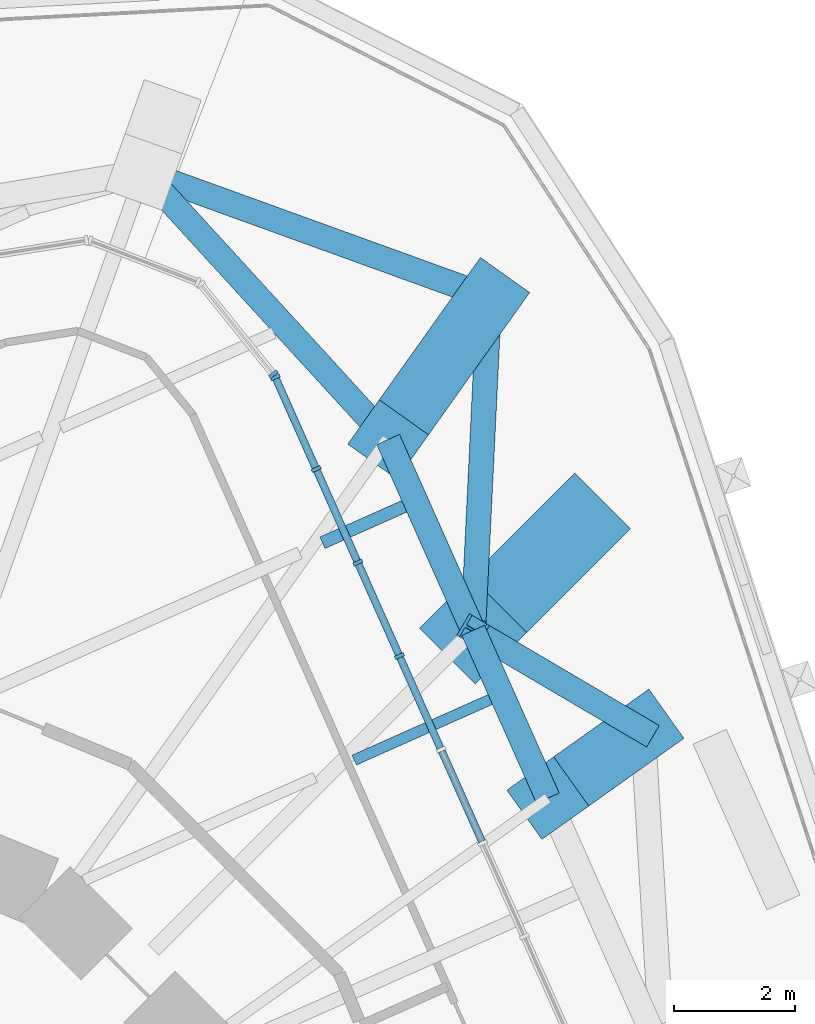
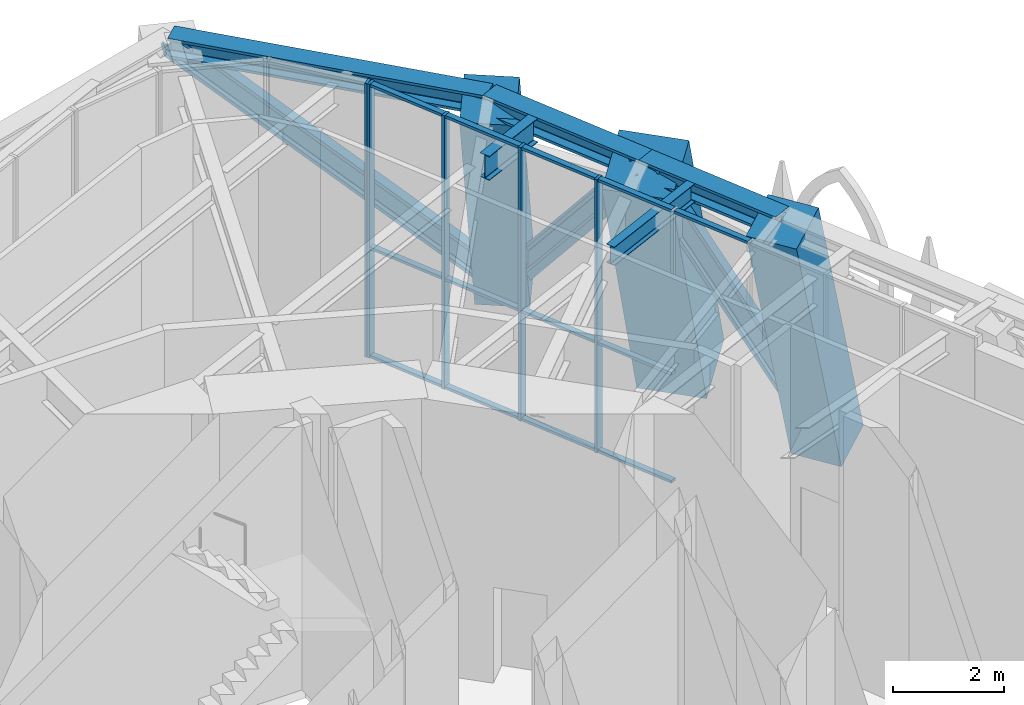
# One storey, part 9 of 18: 27 members, 2 beams, 2 elements without a shape of their own.
"""IFC4 building model written with IfcOpenShell, lengths in metres."""

from ifc_helpers import new_model, si_unit, direction, frame, origin, origin_2d, place, context, subcontext, project, spatial, rectangle, i_section, extrude, material, material_profile, profile_set, type_object, element, aggregate, save


model = new_model("IFC4")

# Units and contexts
model_context = context("Model", 3, precision=1e-05, world=origin(), true_north=direction((0.0, 1.0)))
body_context = subcontext(model_context, "Body", "Model", "MODEL_VIEW")
ifc_project = project(units=[si_unit("LENGTHUNIT", "METRE"), si_unit("AREAUNIT", "SQUARE_METRE"), si_unit("VOLUMEUNIT", "CUBIC_METRE"), si_unit("PLANEANGLEUNIT", "RADIAN"), si_unit("MASSUNIT", "GRAM", prefix="KILO")], contexts=[model_context])

# Site, building, storey
site_placement = place(None, origin())
site = spatial("IfcSite", under=ifc_project, at=site_placement, CompositionType="ELEMENT")
building_placement = place(site_placement, origin())
building = spatial("IfcBuilding", under=site, at=building_placement, Name="Nakasero Lantern House", CompositionType="ELEMENT")
storey_placement = place(building_placement, frame((0.0, 0.0, 176.449951171875)))
storey = spatial("IfcBuildingStorey", under=building, at=storey_placement, Name="L43", CompositionType="ELEMENT", Elevation=176.449951171875)

# Members
ifc_material_1 = material(Name="Steel S355", Category="steel")
ifc_material_profile_1 = material_profile(ifc_material_1, i_section(OverallWidth=0.412109375, OverallDepth=0.4365234375, WebThickness=0.035888671875, FlangeThickness=0.05810546875, FilletRadius=0.01513671875, at=origin_2d()), Name="UC 356x406x467")
ifc_profile_set_1 = profile_set([ifc_material_profile_1], Name="Steel S355")
member_type_1 = type_object("IfcMemberType", Name="Belt truss chord UC 356x406x467", PredefinedType="CHORD", material=ifc_profile_set_1)
member_1_placement = place(storey_placement, frame((13.884521484375, 9.87353515625, 5.581787109375), z_axis=(-0.40671251915, 0.913556197925, 0.0), x_axis=(-0.913556197925, -0.40671251915, 0.0)))
element("IfcMember", 1, at=member_1_placement, inside=storey, type_object=member_type_1, Name="Belt truss top chord T4 B5-C05T", PredefinedType="CHORD", context=body_context, shape_type="SweptSolid", body=[
    extrude(i_section(OverallWidth=0.412109375, OverallDepth=0.4365234375, WebThickness=0.035888671875, FlangeThickness=0.05810546875, FilletRadius=0.01513671875, at=origin_2d()), origin(), (0.0, 0.0, 1.0), 3.0380859375),
])
member_2_placement = place(storey_placement, frame((12.64892578125, 12.64892578125, 5.581787109375), z_axis=(-0.406760506795, 0.913534832457, 0.0), x_axis=(-0.913534832457, -0.406760506795, 0.0)))
element("IfcMember", 2, at=member_2_placement, inside=storey, type_object=member_type_1, Name="Belt truss top chord T4 B5-C06T", PredefinedType="CHORD", context=body_context, shape_type="SweptSolid", body=[
    extrude(i_section(OverallWidth=0.412109375, OverallDepth=0.4365234375, WebThickness=0.035888671875, FlangeThickness=0.05810546875, FilletRadius=0.01513671875, at=origin_2d()), origin(), (0.0, 0.0, 1.0), 3.458984375),
])
member_3_placement = place(storey_placement, frame((11.241943359375, 15.808837890625, 5.581787109375), z_axis=(-0.674771099966, 0.73802707447, 0.0), x_axis=(-0.73802707447, -0.674771099966, 0.0)))
element("IfcMember", 3, at=member_3_placement, inside=storey, type_object=member_type_1, Name="Belt truss top chord T4 B5-C07T", PredefinedType="CHORD", context=body_context, shape_type="SweptSolid", body=[
    extrude(i_section(OverallWidth=0.412109375, OverallDepth=0.4365234375, WebThickness=0.035888671875, FlangeThickness=0.05810546875, FilletRadius=0.01513671875, at=origin_2d()), origin(), (0.0, 0.0, 1.0), 5.997802734375),
])
ifc_material_2 = material(Name="Steel S355", Category="steel")
ifc_material_profile_2 = material_profile(ifc_material_2, i_section(OverallWidth=0.412109375, OverallDepth=0.4365234375, WebThickness=0.035888671875, FlangeThickness=0.05810546875, FilletRadius=0.01513671875, at=origin_2d()), Name="UC 356x406x467")
ifc_profile_set_2 = profile_set([ifc_material_profile_2], Name="Steel S355")
member_type_2 = type_object("IfcMemberType", Name="Belt truss diagonal UC 356x406x467", PredefinedType="BRACE", material=ifc_profile_set_2)
member_4_placement = place(storey_placement, frame((15.45947265625, 10.993408203125, -0.418212890625), z_axis=(-0.411539921993, 0.242412457526, 0.878561946047), x_axis=(-0.507533571521, -0.861631982797, 0.0)))
element("IfcMember", 4, at=member_4_placement, inside=storey, type_object=member_type_2, Name="Belt truss diagonal T4-05", PredefinedType="BRACE", context=body_context, shape_type="SweptSolid", body=[
    extrude(i_section(OverallWidth=0.412109375, OverallDepth=0.4365234375, WebThickness=0.035888671875, FlangeThickness=0.05810546875, FilletRadius=0.01513671875, at=origin_2d()), origin(), (0.0, 0.0, 1.0), 6.829345703125),
])
member_5_placement = place(storey_placement, frame((12.64892578125, 12.64892578125, 5.581787109375), z_axis=(0.032758249817, 0.676305146581, -0.735892822208), x_axis=(-0.998828984534, 0.048380364344, 0.0)))
element("IfcMember", 5, at=member_5_placement, inside=storey, type_object=member_type_2, Name="Belt truss diagonal T4-06", PredefinedType="BRACE", context=body_context, shape_type="SweptSolid", body=[
    extrude(i_section(OverallWidth=0.412109375, OverallDepth=0.4365234375, WebThickness=0.035888671875, FlangeThickness=0.05810546875, FilletRadius=0.01513671875, at=origin_2d()), origin(), (0.0, 0.0, 1.0), 8.1533203125),
])
member_6_placement = place(storey_placement, frame((12.916015625, 18.1630859375, -0.418212890625), z_axis=(-0.669494142696, 0.242496640915, 0.702120340142), x_axis=(-0.340557282505, -0.940223769819, 0.0)))
element("IfcMember", 6, at=member_6_placement, inside=storey, type_object=member_type_2, Name="Belt truss diagonal T4-07", PredefinedType="BRACE", context=body_context, shape_type="SweptSolid", body=[
    extrude(i_section(OverallWidth=0.412109375, OverallDepth=0.4365234375, WebThickness=0.035888671875, FlangeThickness=0.05810546875, FilletRadius=0.01513671875, at=origin_2d()), origin(), (0.0, 0.0, 1.0), 8.545654296875),
])

# Beams
ifc_material_3 = material(Name="Steel S355", Category="steel")
ifc_material_profile_3 = material_profile(ifc_material_3, i_section(OverallWidth=0.177978515625, OverallDepth=0.406494140625, WebThickness=0.0078125, FlangeThickness=0.0126953125, FilletRadius=0.01025390625, at=origin_2d()), Name="UB 406x178x60")
ifc_profile_set_3 = profile_set([ifc_material_profile_3], Name="Steel S355")
beam_type_1 = type_object("IfcBeamType", Name="Infill beam UB 406x178x60", PredefinedType="JOIST", material=ifc_profile_set_3)
beam_1_placement = place(storey_placement, frame((10.682373046875, 10.5029296875, 5.596923828125), z_axis=(0.913533406839, 0.406763708546, 0.0), x_axis=(-0.406763708546, 0.913533406839, 0.0)))
element("IfcBeam", 7, at=beam_1_placement, inside=storey, type_object=beam_type_1, Name="Infill beam L44 09.4", PredefinedType="JOIST", context=body_context, shape_type="SweptSolid", body=[
    extrude(i_section(OverallWidth=0.177978515625, OverallDepth=0.406494140625, WebThickness=0.0078125, FlangeThickness=0.0126953125, FilletRadius=0.01025390625, at=origin_2d()), origin(), (0.0, 0.0, 1.0), 2.463134765625),
])
ifc_material_4 = material(Name="Steel S355", Category="steel")
ifc_material_profile_4 = material_profile(ifc_material_4, i_section(OverallWidth=0.208740234375, OverallDepth=0.5283203125, WebThickness=0.009521484375, FlangeThickness=0.01318359375, FilletRadius=0.0126953125, at=origin_2d()), Name="UB 533x210x82")
ifc_profile_set_4 = profile_set([ifc_material_profile_4], Name="Steel S355")
beam_type_2 = type_object("IfcBeamType", Name="Infill beam UB 533x210x82", PredefinedType="JOIST", material=ifc_profile_set_4)
beam_2_placement = place(storey_placement, frame((10.155029296875, 14.099365234375, 5.535888671875), z_axis=(0.91356004198, 0.406703884538, 0.0), x_axis=(-0.406703884538, 0.91356004198, 0.0)))
element("IfcBeam", 8, at=beam_2_placement, inside=storey, type_object=beam_type_2, Name="Infill beam L44 10.5", PredefinedType="JOIST", context=body_context, shape_type="SweptSolid", body=[
    extrude(i_section(OverallWidth=0.208740234375, OverallDepth=0.5283203125, WebThickness=0.009521484375, FlangeThickness=0.01318359375, FilletRadius=0.0126953125, at=origin_2d()), origin(), (0.0, 0.0, 1.0), 1.482177734375),
])

# Curtain wall, members
ifc_material_5 = material(Name="Aluminium 6063-T6 and glass", Category="aluminium")
curtain_wall_type = type_object("IfcCurtainWallType", Name="Sky lounge glazing CW-3", PredefinedType="USERDEFINED", material=ifc_material_5)
curtain_wall_1_placement = place(storey_placement, origin())
curtain_wall_1 = element("IfcCurtainWall", 9, at=curtain_wall_1_placement, inside=storey, type_object=curtain_wall_type, Name="Curtain wall CW-3 L43", ObjectType="STICK CURTAIN WALL", PredefinedType="USERDEFINED")
ifc_material_6 = material(Name="Aluminium 6063-T6", Category="aluminium")
ifc_material_profile_5 = material_profile(ifc_material_6, rectangle(XDim=0.06005859375, YDim=0.159912109375, at=origin_2d()), Name="CW-3 mullion 60x160")
ifc_profile_set_5 = profile_set([ifc_material_profile_5], Name="Aluminium 6063-T6")
member_type_3 = type_object("IfcMemberType", Name="Mullion CW-3", PredefinedType="MULLION", material=ifc_profile_set_5)
member_7_placement = place(storey_placement, frame((11.428955078125, 12.22412109375, 0.0), z_axis=(0.0, 0.0, 1.0), x_axis=(-0.406736643076, 0.913545457643, 0.0)))
member_7 = element("IfcMember", 10, at=member_7_placement, type_object=member_type_3, Name="CW-3 mullion 6", PredefinedType="MULLION", context=body_context, shape_type="SweptSolid", body=[
    extrude(rectangle(XDim=0.06005859375, YDim=0.159912109375, at=origin_2d()), origin(), (0.0, 0.0, 1.0), 6.0),
])
member_8_placement = place(storey_placement, frame((10.740234375, 13.771484375, 0.0), z_axis=(0.0, 0.0, 1.0), x_axis=(-0.406736643076, 0.913545457643, 0.0)))
member_8 = element("IfcMember", 11, at=member_8_placement, type_object=member_type_3, Name="CW-3 mullion 7", PredefinedType="MULLION", context=body_context, shape_type="SweptSolid", body=[
    extrude(rectangle(XDim=0.06005859375, YDim=0.159912109375, at=origin_2d()), origin(), (0.0, 0.0, 1.0), 6.0),
])
member_9_placement = place(storey_placement, frame((10.05126953125, 15.31884765625, 0.0), z_axis=(0.0, 0.0, 1.0), x_axis=(-0.406736643076, 0.913545457643, 0.0)))
member_9 = element("IfcMember", 12, at=member_9_placement, type_object=member_type_3, Name="CW-3 mullion 8", PredefinedType="MULLION", context=body_context, shape_type="SweptSolid", body=[
    extrude(rectangle(XDim=0.06005859375, YDim=0.159912109375, at=origin_2d()), origin(), (0.0, 0.0, 1.0), 6.0),
])
member_10_placement = place(storey_placement, frame((9.37451171875, 16.8388671875, 0.0), z_axis=(0.0, 0.0, 1.0), x_axis=(-0.406736643076, 0.913545457643, 0.0)))
member_10 = element("IfcMember", 13, at=member_10_placement, type_object=member_type_3, Name="CW-3 mullion 9", PredefinedType="MULLION", context=body_context, shape_type="SweptSolid", body=[
    extrude(rectangle(XDim=0.06005859375, YDim=0.159912109375, at=origin_2d()), origin(), (0.0, 0.0, 1.0), 6.0),
])

# Curtain wall, member
curtain_wall_2_placement = place(storey_placement, origin())
curtain_wall_2 = element("IfcCurtainWall", 14, at=curtain_wall_2_placement, inside=storey, type_object=curtain_wall_type, Name="Curtain wall CW-3 L43", ObjectType="STICK CURTAIN WALL", PredefinedType="USERDEFINED")
member_11_placement = place(storey_placement, frame((9.343505859375, 16.889404296875, 0.0), z_axis=(0.0, 0.0, 1.0), x_axis=(-0.62932039105, 0.777145961457, 0.0)))
member_11 = element("IfcMember", 15, at=member_11_placement, type_object=member_type_3, Name="CW-3 mullion 1", PredefinedType="MULLION", context=body_context, shape_type="SweptSolid", body=[
    extrude(rectangle(XDim=0.06005859375, YDim=0.159912109375, at=origin_2d()), origin(), (0.0, 0.0, 1.0), 6.0),
])
aggregate(curtain_wall_2, [member_11])

# Members
ifc_material_7 = material(Name="Concrete C50/60", Category="concrete")
ifc_material_profile_6 = material_profile(ifc_material_7, rectangle(XDim=1.0, YDim=1.0, at=origin_2d()), Name="RC 1000x1000")
ifc_profile_set_6 = profile_set([ifc_material_profile_6], Name="Concrete C50/60")
member_type_4 = type_object("IfcMemberType", Name="Raking column RC 1000x1000 C50/60", PredefinedType="STRUT", material=ifc_profile_set_6)
member_12_placement = place(storey_placement, frame((15.45947265625, 10.993408203125, -0.418212890625), z_axis=(-0.249851949923, -0.177657866113, 0.951846461215), x_axis=(0.579492088584, -0.814977864281, 0.0)))
element("IfcMember", 16, at=member_12_placement, inside=storey, type_object=member_type_4, Name="Raking column B5-C05T L43", PredefinedType="STRUT", context=body_context, shape_type="SweptSolid", body=[
    extrude(rectangle(XDim=1.0, YDim=1.0, at=origin_2d()), origin(), (0.0, 0.0, 1.0), 6.303466796875),
])
member_13_placement = place(storey_placement, frame((12.916015625, 18.1630859375, -0.418212890625), z_axis=(-0.251392237263, -0.353532936259, 0.901008549362), x_axis=(0.814965081358, -0.57951006563, 0.0)))
element("IfcMember", 17, at=member_13_placement, inside=storey, type_object=member_type_4, Name="Raking column B5-C07T L43", PredefinedType="STRUT", context=body_context, shape_type="SweptSolid", body=[
    extrude(rectangle(XDim=1.0, YDim=1.0, at=origin_2d()), origin(), (0.0, 0.0, 1.0), 6.6591796875),
])
ifc_material_8 = material(Name="Concrete C50/60", Category="concrete")
ifc_material_profile_7 = material_profile(ifc_material_8, rectangle(XDim=1.300048828125, YDim=1.300048828125, at=origin_2d()), Name="RC 1300x1300")
ifc_profile_set_7 = profile_set([ifc_material_profile_7], Name="Concrete C50/60")
member_type_5 = type_object("IfcMemberType", Name="Raking column RC 1300x1300 C50/60", PredefinedType="STRUT", material=ifc_profile_set_7)
member_14_placement = place(storey_placement, frame((14.3642578125, 14.3642578125, -0.418212890625), z_axis=(-0.265045446848, -0.265045446848, 0.927093211177), x_axis=(0.707106781187, -0.707106781187, 0.0)))
element("IfcMember", 18, at=member_14_placement, inside=storey, type_object=member_type_5, Name="Raking column B5-C06T L43", PredefinedType="STRUT", context=body_context, shape_type="SweptSolid", body=[
    extrude(rectangle(XDim=1.300048828125, YDim=1.300048828125, at=origin_2d()), origin(), (0.0, 0.0, 1.0), 6.471923828125),
])

# Member
ifc_material_9 = material(Name="Aluminium 6063-T6", Category="aluminium")
ifc_material_profile_8 = material_profile(ifc_material_9, rectangle(XDim=0.06005859375, YDim=0.1201171875, at=origin_2d()), Name="CW-3 transom 60x120")
ifc_profile_set_8 = profile_set([ifc_material_profile_8], Name="Aluminium 6063-T6")
member_type_6 = type_object("IfcMemberType", Name="Transom CW-3", PredefinedType="USERDEFINED", material=ifc_profile_set_8)
member_15_placement = place(storey_placement, frame((12.794677734375, 9.156982421875, 5.969970703125), z_axis=(-0.406776183997, 0.913527851865, 0.0), x_axis=(0.0, 0.0, 1.0)))
member_15 = element("IfcMember", 19, at=member_15_placement, type_object=member_type_6, Name="CW-3 transom 4.3", ObjectType="TRANSOM", PredefinedType="USERDEFINED", context=body_context, shape_type="SweptSolid", body=[
    extrude(rectangle(XDim=0.06005859375, YDim=0.1201171875, at=origin_2d()), origin(), (0.0, 0.0, 1.0), 1.6337890625),
])

member_16_placement = place(storey_placement, frame((12.105712890625, 10.704345703125, 0.030029296875), z_axis=(-0.406776183997, 0.913527851865, 0.0), x_axis=(0.0, 0.0, 1.0)))
member_16 = element("IfcMember", 20, at=member_16_placement, type_object=member_type_6, Name="CW-3 transom 5.1", ObjectType="TRANSOM", PredefinedType="USERDEFINED", context=body_context, shape_type="SweptSolid", body=[
    extrude(rectangle(XDim=0.06005859375, YDim=0.1201171875, at=origin_2d()), origin(), (0.0, 0.0, 1.0), 1.6337890625),
])

member_17_placement = place(storey_placement, frame((12.105712890625, 10.704345703125, 2.400146484375), z_axis=(-0.406776183997, 0.913527851865, 0.0), x_axis=(0.0, 0.0, 1.0)))
member_17 = element("IfcMember", 21, at=member_17_placement, type_object=member_type_6, Name="CW-3 transom 5.2", ObjectType="TRANSOM", PredefinedType="USERDEFINED", context=body_context, shape_type="SweptSolid", body=[
    extrude(rectangle(XDim=0.06005859375, YDim=0.1201171875, at=origin_2d()), origin(), (0.0, 0.0, 1.0), 1.6337890625),
])

member_18_placement = place(storey_placement, frame((12.105712890625, 10.704345703125, 5.969970703125), z_axis=(-0.406776183997, 0.913527851865, 0.0), x_axis=(0.0, 0.0, 1.0)))
member_18 = element("IfcMember", 22, at=member_18_placement, type_object=member_type_6, Name="CW-3 transom 5.3", ObjectType="TRANSOM", PredefinedType="USERDEFINED", context=body_context, shape_type="SweptSolid", body=[
    extrude(rectangle(XDim=0.06005859375, YDim=0.1201171875, at=origin_2d()), origin(), (0.0, 0.0, 1.0), 1.6337890625),
])

member_19_placement = place(storey_placement, frame((11.416748046875, 12.251708984375, 0.030029296875), z_axis=(-0.40665145984, 0.913583378904, 0.0), x_axis=(0.0, 0.0, 1.0)))
member_19 = element("IfcMember", 23, at=member_19_placement, type_object=member_type_6, Name="CW-3 transom 6.1", ObjectType="TRANSOM", PredefinedType="USERDEFINED", context=body_context, shape_type="SweptSolid", body=[
    extrude(rectangle(XDim=0.06005859375, YDim=0.1201171875, at=origin_2d()), origin(), (0.0, 0.0, 1.0), 1.633544921875),
])

member_20_placement = place(storey_placement, frame((11.416748046875, 12.251708984375, 2.400146484375), z_axis=(-0.40665145984, 0.913583378904, 0.0), x_axis=(0.0, 0.0, 1.0)))
member_20 = element("IfcMember", 24, at=member_20_placement, type_object=member_type_6, Name="CW-3 transom 6.2", ObjectType="TRANSOM", PredefinedType="USERDEFINED", context=body_context, shape_type="SweptSolid", body=[
    extrude(rectangle(XDim=0.06005859375, YDim=0.1201171875, at=origin_2d()), origin(), (0.0, 0.0, 1.0), 1.633544921875),
])

member_21_placement = place(storey_placement, frame((11.416748046875, 12.251708984375, 5.969970703125), z_axis=(-0.40665145984, 0.913583378904, 0.0), x_axis=(0.0, 0.0, 1.0)))
member_21 = element("IfcMember", 25, at=member_21_placement, type_object=member_type_6, Name="CW-3 transom 6.3", ObjectType="TRANSOM", PredefinedType="USERDEFINED", context=body_context, shape_type="SweptSolid", body=[
    extrude(rectangle(XDim=0.06005859375, YDim=0.1201171875, at=origin_2d()), origin(), (0.0, 0.0, 1.0), 1.633544921875),
])

member_22_placement = place(storey_placement, frame((10.72802734375, 13.798828125, 0.030029296875), z_axis=(-0.406720658648, 0.913552574201, 0.0), x_axis=(0.0, 0.0, 1.0)))
member_22 = element("IfcMember", 26, at=member_22_placement, type_object=member_type_6, Name="CW-3 transom 7.1", ObjectType="TRANSOM", PredefinedType="USERDEFINED", context=body_context, shape_type="SweptSolid", body=[
    extrude(rectangle(XDim=0.06005859375, YDim=0.1201171875, at=origin_2d()), origin(), (0.0, 0.0, 1.0), 1.634033203125),
])

member_23_placement = place(storey_placement, frame((10.72802734375, 13.798828125, 2.400146484375), z_axis=(-0.406720658648, 0.913552574201, 0.0), x_axis=(0.0, 0.0, 1.0)))
member_23 = element("IfcMember", 27, at=member_23_placement, type_object=member_type_6, Name="CW-3 transom 7.2", ObjectType="TRANSOM", PredefinedType="USERDEFINED", context=body_context, shape_type="SweptSolid", body=[
    extrude(rectangle(XDim=0.06005859375, YDim=0.1201171875, at=origin_2d()), origin(), (0.0, 0.0, 1.0), 1.634033203125),
])

member_24_placement = place(storey_placement, frame((10.72802734375, 13.798828125, 5.969970703125), z_axis=(-0.406720658648, 0.913552574201, 0.0), x_axis=(0.0, 0.0, 1.0)))
member_24 = element("IfcMember", 28, at=member_24_placement, type_object=member_type_6, Name="CW-3 transom 7.3", ObjectType="TRANSOM", PredefinedType="USERDEFINED", context=body_context, shape_type="SweptSolid", body=[
    extrude(rectangle(XDim=0.06005859375, YDim=0.1201171875, at=origin_2d()), origin(), (0.0, 0.0, 1.0), 1.634033203125),
])

member_25_placement = place(storey_placement, frame((10.0390625, 15.34619140625, 0.030029296875), z_axis=(-0.40675984915, 0.91353512528, 0.0), x_axis=(0.0, 0.0, 1.0)))
member_25 = element("IfcMember", 29, at=member_25_placement, type_object=member_type_6, Name="CW-3 transom 8.1", ObjectType="TRANSOM", PredefinedType="USERDEFINED", context=body_context, shape_type="SweptSolid", body=[
    extrude(rectangle(XDim=0.06005859375, YDim=0.1201171875, at=origin_2d()), origin(), (0.0, 0.0, 1.0), 1.603759765625),
])

member_26_placement = place(storey_placement, frame((10.0390625, 15.34619140625, 2.400146484375), z_axis=(-0.40675984915, 0.91353512528, 0.0), x_axis=(0.0, 0.0, 1.0)))
member_26 = element("IfcMember", 30, at=member_26_placement, type_object=member_type_6, Name="CW-3 transom 8.2", ObjectType="TRANSOM", PredefinedType="USERDEFINED", context=body_context, shape_type="SweptSolid", body=[
    extrude(rectangle(XDim=0.06005859375, YDim=0.1201171875, at=origin_2d()), origin(), (0.0, 0.0, 1.0), 1.603759765625),
])

member_27_placement = place(storey_placement, frame((10.0390625, 15.34619140625, 5.969970703125), z_axis=(-0.40675984915, 0.91353512528, 0.0), x_axis=(0.0, 0.0, 1.0)))
member_27 = element("IfcMember", 31, at=member_27_placement, type_object=member_type_6, Name="CW-3 transom 8.3", ObjectType="TRANSOM", PredefinedType="USERDEFINED", context=body_context, shape_type="SweptSolid", body=[
    extrude(rectangle(XDim=0.06005859375, YDim=0.1201171875, at=origin_2d()), origin(), (0.0, 0.0, 1.0), 1.603759765625),
])

aggregate(curtain_wall_1, [member_7, member_8, member_9, member_10, member_15, member_16, member_17, member_18, member_19, member_20, member_21, member_22, member_23, member_24, member_25, member_26, member_27])

save(model, "model.ifc")
